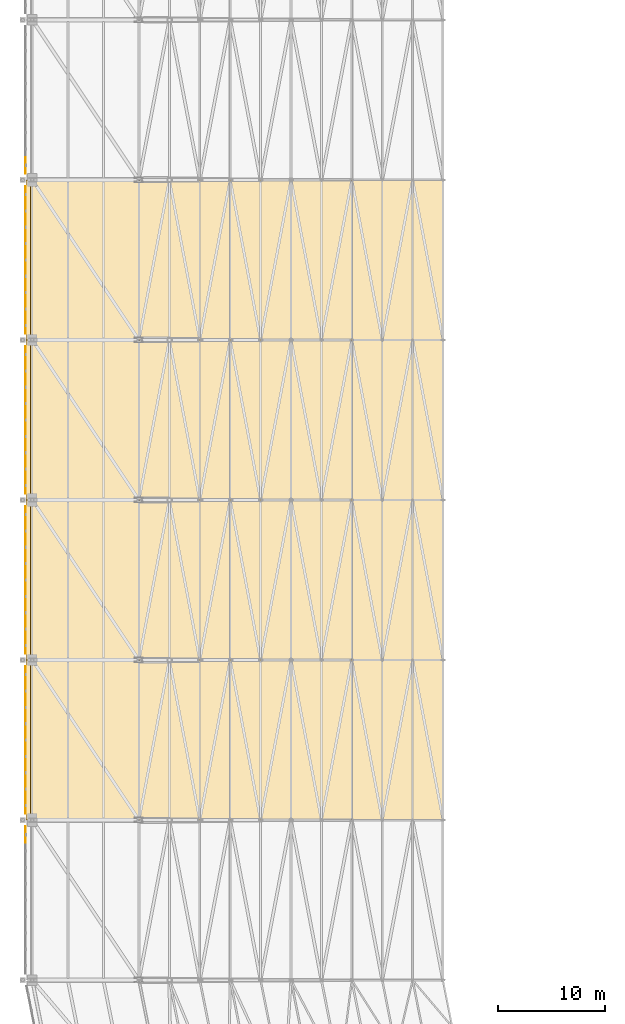
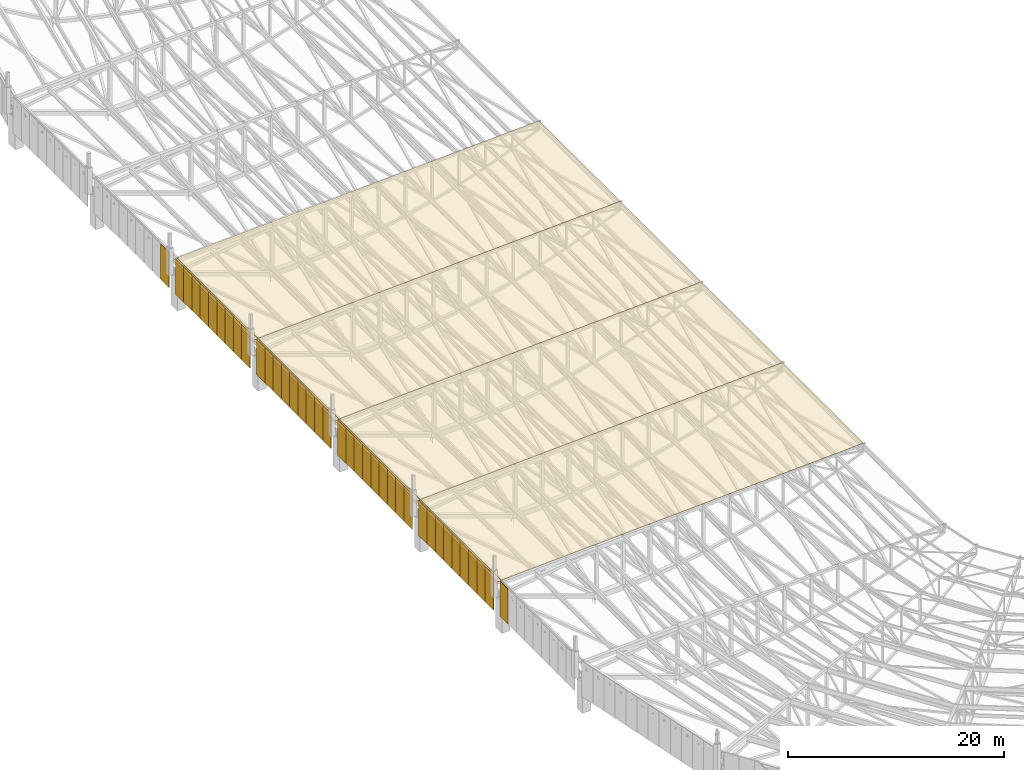
# One storey, part 273 of 278: 38 shading devices, 8 coverings.
"""IFC4 building model written with IfcOpenShell, lengths in metres."""

from ifc_helpers import new_model, si_unit, direction, frame, origin, origin_2d, place, context, subcontext, project, spatial, polyline, rectangle, outline, extrude, material, layer, layer_set, type_object, element, save


model = new_model("IFC4")

# Units and contexts
model_context = context("Model", 3, precision=1e-05, world=origin(), true_north=direction((0.0, 1.0)))
body_context = subcontext(model_context, "Body", "Model", "MODEL_VIEW")
ifc_project = project(units=[si_unit("LENGTHUNIT", "METRE"), si_unit("AREAUNIT", "SQUARE_METRE"), si_unit("VOLUMEUNIT", "CUBIC_METRE"), si_unit("PLANEANGLEUNIT", "RADIAN"), si_unit("MASSUNIT", "GRAM", prefix="KILO")], contexts=[model_context])

# Site, building, storey
site_placement = place(None, origin())
site = spatial("IfcSite", under=ifc_project, at=site_placement, CompositionType="ELEMENT")
building_placement = place(site_placement, origin())
building = spatial("IfcBuilding", under=site, at=building_placement, Name="Ogive Plaza Stadium", CompositionType="ELEMENT")
storey_placement = place(building_placement, frame((0.0, 0.0, 29.0)))
storey = spatial("IfcBuildingStorey", under=building, at=storey_placement, Name="Roof", CompositionType="ELEMENT", Elevation=29.0)

# Coverings
ifc_material_1 = material(Name="Titanium-zinc sheet", Category="metal")
ifc_layer_1 = layer(ifc_material_1, 0.010009765625)
ifc_layer_set_1 = layer_set([ifc_layer_1], Name="Eave box gutter")
covering_type_1 = type_object("IfcCoveringType", Name="Eave box gutter", PredefinedType="CLADDING", material=ifc_layer_set_1)
for number, where, z_axis, x_axis, name in (
    (1, (-84.37744140625, -30.0, 5.2001953125), (0.0, 0.0, 1.0), (0.0, 1.0, 0.0), "EAVE GUTTER B22"),
    (2, (-84.37744140625, -15.0, 5.2001953125), (0.0, 0.0, 1.0), (0.0, 1.0, 0.0), "EAVE GUTTER B23"),
    (3, (-84.37744140625, 0.0, 5.2001953125), (0.0, 0.0, 1.0), (0.0, 1.0, 0.0), "EAVE GUTTER B24"),
    (4, (-84.37744140625, 15.0, 5.2001953125), (0.0, 0.0, 1.0), (0.0, 1.0, 0.0), "EAVE GUTTER B25"),
):
    element("IfcCovering", number, at=place(storey_placement, frame(where, z_axis=z_axis, x_axis=x_axis)), inside=storey, type_object=covering_type_1, Name=name, PredefinedType="CLADDING", context=body_context, shape_type="SweptSolid", body=[
        extrude(rectangle(XDim=15.0, YDim=0.449951171875, at=origin_2d()), origin(), (0.0, 0.0, 1.0), 0.300048828125),
    ])
ifc_material_2 = material(Name="PTFE-coated glass-fibre membrane", Category="glass")
ifc_layer_2 = layer(ifc_material_2, 0.050048828125)
ifc_layer_set_2 = layer_set([ifc_layer_2], Name="Roof membrane panel")
covering_type_2 = type_object("IfcCoveringType", Name="Roof membrane panel", PredefinedType="ROOFING", material=ifc_layer_set_2)
for number, where, z_axis, x_axis, name in (
    (5, (-45.5, -37.5, 7.47509765625), (-0.049937616944, 0.0, 0.998752338878), (-0.998752338878, 0.0, -0.049937616944), "ROOF PANEL B22"),
    (6, (-45.5, -22.5, 7.47509765625), (-0.049937616944, 0.0, 0.998752338878), (-0.998752338878, 0.0, -0.049937616944), "ROOF PANEL B23"),
    (7, (-45.5, -7.5, 7.47509765625), (-0.049937616944, 0.0, 0.998752338878), (-0.998752338878, 0.0, -0.049937616944), "ROOF PANEL B24"),
    (8, (-45.5, 7.5, 7.47509765625), (-0.049937616944, 0.0, 0.998752338878), (-0.998752338878, 0.0, -0.049937616944), "ROOF PANEL B25"),
):
    element("IfcCovering", number, at=place(storey_placement, frame(where, z_axis=z_axis, x_axis=x_axis)), inside=storey, type_object=covering_type_2, Name=name, PredefinedType="ROOFING", context=body_context, shape_type="SweptSolid", body=[
        extrude(outline(polyline([(0.0, 0.0), (38.7006290202315, 0.0), (38.7006290202315, -15.0), (0.0, -15.0), (0.0, 0.0)])), origin(), (0.0, 0.0, -1.0), 0.050048828125),
    ])

# Shading devices
ifc_material_3 = material(Name="Perforated bronze-anodised aluminium", Category="aluminium")
ifc_layer_3 = layer(ifc_material_3, 0.050048828125)
ifc_layer_set_3 = layer_set([ifc_layer_3], Name="Tracery screen panel")
shading_device_type = type_object("IfcShadingDeviceType", Name="Tracery screen panel", PredefinedType="SHUTTER", material=ifc_layer_set_3)
for number, where, z_axis, x_axis, name in (
    (9, (-84.62744140625, -38.86669921875, 2.0), (0.0, 0.0, 1.0), (0.0, 1.0, 0.0), "TRACERY SCREEN B21 9"),
    (10, (-84.62744140625, -36.13330078125, 2.0), (0.0, 0.0, 1.0), (0.0, 1.0, 0.0), "TRACERY SCREEN B22 1"),
    (11, (-84.62744140625, -34.60009765625, 2.0), (0.0, 0.0, 1.0), (0.0, 1.0, 0.0), "TRACERY SCREEN B22 2"),
    (12, (-84.62744140625, -33.066650390625, 2.0), (0.0, 0.0, 1.0), (0.0, 1.0, 0.0), "TRACERY SCREEN B22 3"),
    (13, (-84.62744140625, -31.533447265625, 2.0), (0.0, 0.0, 1.0), (0.0, 1.0, 0.0), "TRACERY SCREEN B22 4"),
    (14, (-84.62744140625, -30.0, 2.0), (0.0, 0.0, 1.0), (0.0, 1.0, 0.0), "TRACERY SCREEN B22 5"),
    (15, (-84.62744140625, -28.466552734375, 2.0), (0.0, 0.0, 1.0), (0.0, 1.0, 0.0), "TRACERY SCREEN B22 6"),
    (16, (-84.62744140625, -26.933349609375, 2.0), (0.0, 0.0, 1.0), (0.0, 1.0, 0.0), "TRACERY SCREEN B22 7"),
    (17, (-84.62744140625, -25.39990234375, 2.0), (0.0, 0.0, 1.0), (0.0, 1.0, 0.0), "TRACERY SCREEN B22 8"),
    (18, (-84.62744140625, -23.86669921875, 2.0), (0.0, 0.0, 1.0), (0.0, 1.0, 0.0), "TRACERY SCREEN B22 9"),
    (19, (-84.62744140625, -21.13330078125, 2.0), (0.0, 0.0, 1.0), (0.0, 1.0, 0.0), "TRACERY SCREEN B23 1"),
    (20, (-84.62744140625, -19.60009765625, 2.0), (0.0, 0.0, 1.0), (0.0, 1.0, 0.0), "TRACERY SCREEN B23 2"),
    (21, (-84.62744140625, -18.066650390625, 2.0), (0.0, 0.0, 1.0), (0.0, 1.0, 0.0), "TRACERY SCREEN B23 3"),
    (22, (-84.62744140625, -16.533447265625, 2.0), (0.0, 0.0, 1.0), (0.0, 1.0, 0.0), "TRACERY SCREEN B23 4"),
    (23, (-84.62744140625, -15.0, 2.0), (0.0, 0.0, 1.0), (0.0, 1.0, 0.0), "TRACERY SCREEN B23 5"),
    (24, (-84.62744140625, -13.466552734375, 2.0), (0.0, 0.0, 1.0), (0.0, 1.0, 0.0), "TRACERY SCREEN B23 6"),
    (25, (-84.62744140625, -11.933349609375, 2.0), (0.0, 0.0, 1.0), (0.0, 1.0, 0.0), "TRACERY SCREEN B23 7"),
    (26, (-84.62744140625, -10.39990234375, 2.0), (0.0, 0.0, 1.0), (0.0, 1.0, 0.0), "TRACERY SCREEN B23 8"),
    (27, (-84.62744140625, -8.86669921875, 2.0), (0.0, 0.0, 1.0), (0.0, 1.0, 0.0), "TRACERY SCREEN B23 9"),
    (28, (-84.62744140625, -6.13330078125, 2.0), (0.0, 0.0, 1.0), (0.0, 1.0, 0.0), "TRACERY SCREEN B24 1"),
    (29, (-84.62744140625, -4.60009765625, 2.0), (0.0, 0.0, 1.0), (0.0, 1.0, 0.0), "TRACERY SCREEN B24 2"),
    (30, (-84.62744140625, -3.066650390625, 2.0), (0.0, 0.0, 1.0), (0.0, 1.0, 0.0), "TRACERY SCREEN B24 3"),
    (31, (-84.62744140625, -1.533447265625, 2.0), (0.0, 0.0, 1.0), (0.0, 1.0, 0.0), "TRACERY SCREEN B24 4"),
    (32, (-84.62744140625, 0.0, 2.0), (0.0, 0.0, 1.0), (0.0, 1.0, 0.0), "TRACERY SCREEN B24 5"),
    (33, (-84.62744140625, 1.533447265625, 2.0), (0.0, 0.0, 1.0), (0.0, 1.0, 0.0), "TRACERY SCREEN B24 6"),
    (34, (-84.62744140625, 3.066650390625, 2.0), (0.0, 0.0, 1.0), (0.0, 1.0, 0.0), "TRACERY SCREEN B24 7"),
    (35, (-84.62744140625, 4.60009765625, 2.0), (0.0, 0.0, 1.0), (0.0, 1.0, 0.0), "TRACERY SCREEN B24 8"),
    (36, (-84.62744140625, 6.13330078125, 2.0), (0.0, 0.0, 1.0), (0.0, 1.0, 0.0), "TRACERY SCREEN B24 9"),
    (37, (-84.62744140625, 8.86669921875, 2.0), (0.0, 0.0, 1.0), (0.0, 1.0, 0.0), "TRACERY SCREEN B25 1"),
    (38, (-84.62744140625, 10.39990234375, 2.0), (0.0, 0.0, 1.0), (0.0, 1.0, 0.0), "TRACERY SCREEN B25 2"),
    (39, (-84.62744140625, 11.933349609375, 2.0), (0.0, 0.0, 1.0), (0.0, 1.0, 0.0), "TRACERY SCREEN B25 3"),
    (40, (-84.62744140625, 13.466552734375, 2.0), (0.0, 0.0, 1.0), (0.0, 1.0, 0.0), "TRACERY SCREEN B25 4"),
    (41, (-84.62744140625, 15.0, 2.0), (0.0, 0.0, 1.0), (0.0, 1.0, 0.0), "TRACERY SCREEN B25 5"),
    (42, (-84.62744140625, 16.533447265625, 2.0), (0.0, 0.0, 1.0), (0.0, 1.0, 0.0), "TRACERY SCREEN B25 6"),
    (43, (-84.62744140625, 18.066650390625, 2.0), (0.0, 0.0, 1.0), (0.0, 1.0, 0.0), "TRACERY SCREEN B25 7"),
    (44, (-84.62744140625, 19.60009765625, 2.0), (0.0, 0.0, 1.0), (0.0, 1.0, 0.0), "TRACERY SCREEN B25 8"),
    (45, (-84.62744140625, 21.13330078125, 2.0), (0.0, 0.0, 1.0), (0.0, 1.0, 0.0), "TRACERY SCREEN B25 9"),
    (46, (-84.62744140625, 23.86669921875, 2.0), (0.0, 0.0, 1.0), (0.0, 1.0, 0.0), "TRACERY SCREEN B26 1"),
):
    element("IfcShadingDevice", number, at=place(storey_placement, frame(where, z_axis=z_axis, x_axis=x_axis)), inside=storey, type_object=shading_device_type, Name=name, PredefinedType="SHUTTER", context=body_context, shape_type="SweptSolid", body=[
        extrude(rectangle(XDim=1.533447265625, YDim=0.050048828125, at=origin_2d()), origin(), (0.0, 0.0, 1.0), 4.0),
    ])

save(model, "model.ifc")
